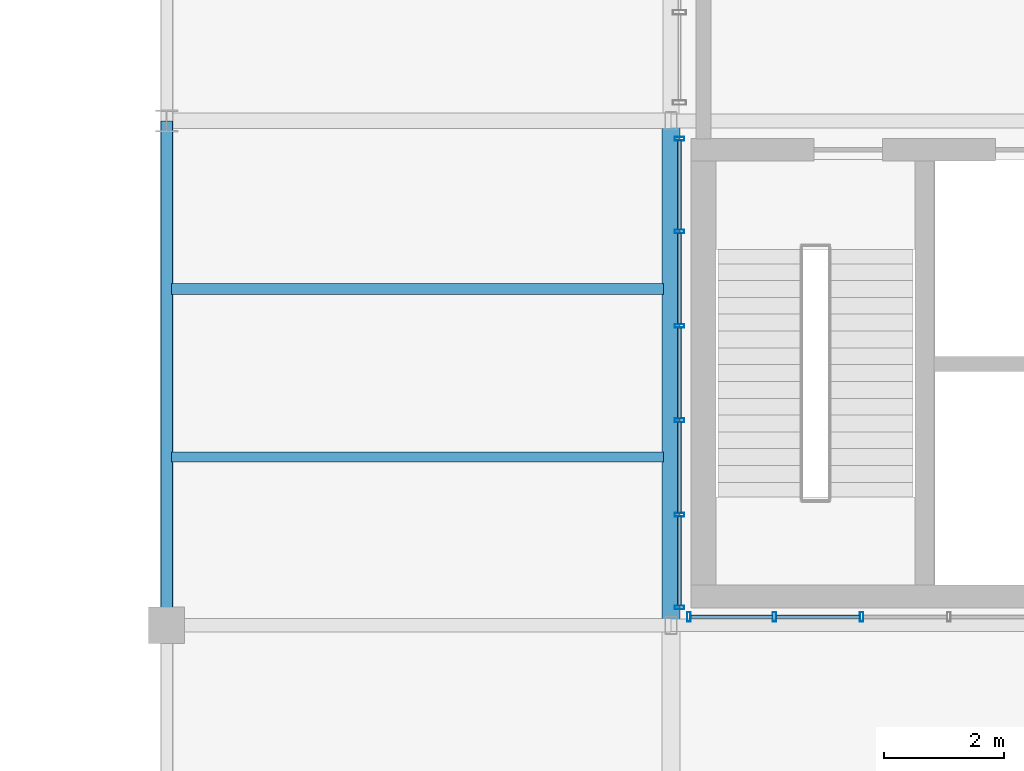
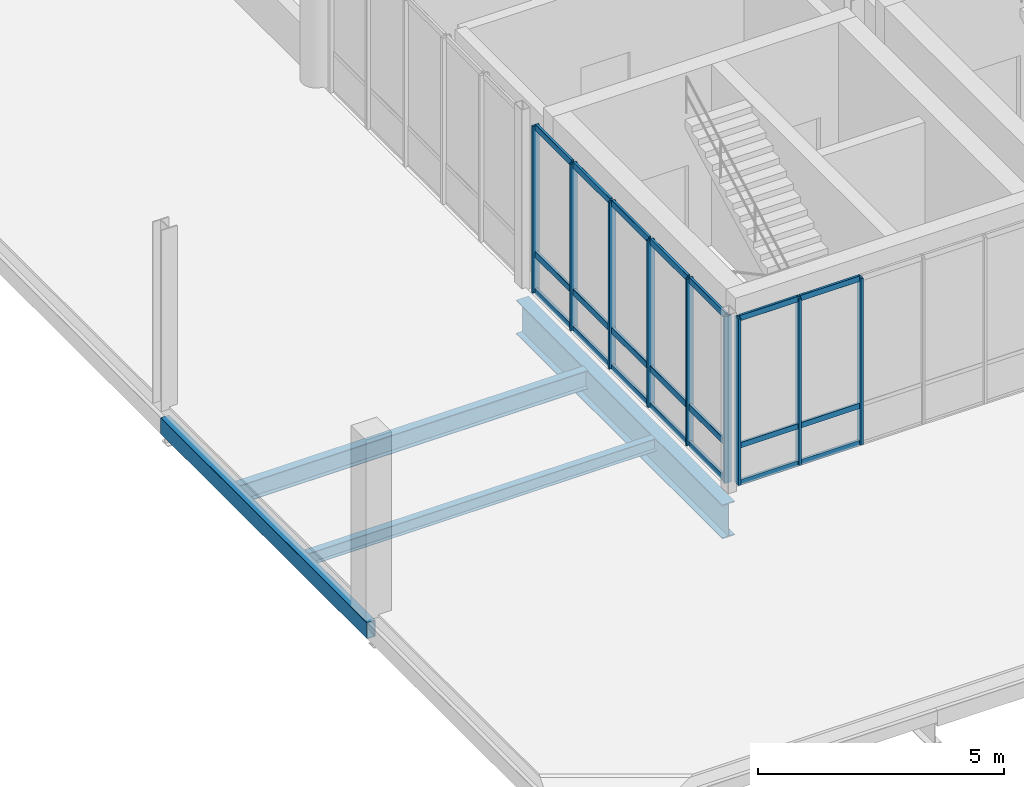
# One storey, part 36 of 66: 30 members, 4 beams, 2 elements without a shape of their own.
"""IFC4 building model written with IfcOpenShell, lengths in metres."""

from ifc_helpers import new_model, si_unit, direction, frame, origin_with_axes, origin_2d_with_axis, place, context, subcontext, project, spatial, hollow_rectangle, i_section, extrude, material, material_profile, profile_set, type_object, element, aggregate, save


model = new_model("IFC4")

# Units and contexts
model_context = context("Model", 3, precision=1e-05, world=origin_with_axes(), true_north=direction((0.0, 1.0)))
body_context = subcontext(model_context, "Body", "Model", "MODEL_VIEW")
ifc_project = project(units=[si_unit("LENGTHUNIT", "METRE"), si_unit("AREAUNIT", "SQUARE_METRE"), si_unit("VOLUMEUNIT", "CUBIC_METRE"), si_unit("PLANEANGLEUNIT", "RADIAN"), si_unit("MASSUNIT", "GRAM", prefix="KILO"), si_unit("THERMODYNAMICTEMPERATUREUNIT", "KELVIN")], contexts=[model_context])

# Site, building, storey
site_placement = place(None, origin_with_axes())
site = spatial("IfcSite", under=ifc_project, at=site_placement, CompositionType="ELEMENT")
building_placement = place(site_placement, origin_with_axes())
building = spatial("IfcBuilding", under=site, at=building_placement, Name="Montbau Bow Law Courts", CompositionType="ELEMENT")
storey_placement = place(building_placement, frame((0.0, 0.0, 34.5), z_axis=(0.0, 0.0, 1.0), x_axis=(1.0, 0.0, 0.0)))
storey = spatial("IfcBuildingStorey", under=building, at=storey_placement, Name="L07", CompositionType="ELEMENT", Elevation=34.5)

# Beams
ifc_material_1 = material(Name="Steel CSA G40.21 Grade 350W (350 MPa)", Category="steel")
ifc_material_profile_1 = material_profile(ifc_material_1, i_section(OverallWidth=0.293, OverallDepth=0.846, WebThickness=0.0154, FlangeThickness=0.0244, at=origin_2d_with_axis()), Name="W840X210", Category="Main", Priority=0)
ifc_profile_set_1 = profile_set([ifc_material_profile_1], Name="Steel CSA G40.21 Grade 350W (350 MPa)")
beam_type_1 = type_object("IfcBeamType", Name="B-FLR-02", PredefinedType="BEAM", material=ifc_profile_set_1)
beam_1_placement = place(None, frame((147.0, 86.4, 33.787), z_axis=(0.0, 1.0, 0.0), x_axis=(-1.0, 0.0, 0.0)))
element("IfcBeam", 1, at=beam_1_placement, inside=storey, type_object=beam_type_1, Name="BM-L07-S1363:bm2_1366", PredefinedType="BEAM", context=body_context, shape_type="SweptSolid", body=[
    extrude(i_section(OverallWidth=0.293, OverallDepth=0.846, WebThickness=0.0154, FlangeThickness=0.0244, at=origin_2d_with_axis()), origin_with_axes(), (0.0, 0.0, 1.0), 8.4),
])
ifc_material_profile_2 = material_profile(ifc_material_1, i_section(OverallWidth=0.191, OverallDepth=0.46, WebThickness=0.0099, FlangeThickness=0.016, at=origin_2d_with_axis()), Name="W460X82", Category="Main", Priority=0)
ifc_profile_set_2 = profile_set([ifc_material_profile_2], Name="Steel CSA G40.21 Grade 350W (350 MPa)")
beam_type_2 = type_object("IfcBeamType", Name="B-JST-01", PredefinedType="JOIST", material=ifc_profile_set_2)
beam_2_placement = place(None, frame((138.68, 92.0, 33.98), z_axis=(1.0, 0.0, 0.0), x_axis=(0.0, 1.0, 0.0)))
element("IfcBeam", 2, at=beam_2_placement, inside=storey, type_object=beam_type_2, Name="JST-L07-S0740:jst2_0740", PredefinedType="JOIST", context=body_context, shape_type="SweptSolid", body=[
    extrude(i_section(OverallWidth=0.191, OverallDepth=0.46, WebThickness=0.0099, FlangeThickness=0.016, at=origin_2d_with_axis()), origin_with_axes(), (0.0, 0.0, 1.0), 8.197),
])
ifc_material_profile_3 = material_profile(ifc_material_1, i_section(OverallWidth=0.166, OverallDepth=0.313, WebThickness=0.0066, FlangeThickness=0.0112, at=origin_2d_with_axis()), Name="W310X45", Category="Main", Priority=0)
ifc_profile_set_3 = profile_set([ifc_material_profile_3], Name="Steel CSA G40.21 Grade 350W (350 MPa)")
beam_type_3 = type_object("IfcBeamType", Name="B-JST-04", PredefinedType="JOIST", material=ifc_profile_set_3)
beam_3_placement = place(None, frame((138.68, 89.2, 34.053), z_axis=(1.0, 0.0, 0.0), x_axis=(0.0, 1.0, 0.0)))
element("IfcBeam", 3, at=beam_3_placement, inside=storey, type_object=beam_type_3, Name="JST-L07-S0739:jst2_0739", PredefinedType="JOIST", context=body_context, shape_type="SweptSolid", body=[
    extrude(i_section(OverallWidth=0.166, OverallDepth=0.313, WebThickness=0.0066, FlangeThickness=0.0112, at=origin_2d_with_axis()), origin_with_axes(), (0.0, 0.0, 1.0), 8.197),
])
ifc_material_2 = material(Name="Steel CSA G40.21 Grade 350WT (350 MPa)", Category="steel")
ifc_material_profile_4 = material_profile(ifc_material_2, hollow_rectangle(XDim=0.203, YDim=0.406, WallThickness=0.0127, InnerFilletRadius=0.0254, OuterFilletRadius=0.0127, at=origin_2d_with_axis()), Name="HSS406X203X13", Category="Main", Priority=0)
ifc_profile_set_4 = profile_set([ifc_material_profile_4], Name="Steel CSA G40.21 Grade 350WT (350 MPa)")
beam_type_4 = type_object("IfcBeamType", Name="B-SPN-01", PredefinedType="SPANDREL", material=ifc_profile_set_4)
beam_4_placement = place(None, frame((138.6, 86.4, 34.007), z_axis=(0.0, 1.0, 0.0), x_axis=(-1.0, 0.0, 0.0)))
element("IfcBeam", 4, at=beam_4_placement, inside=storey, type_object=beam_type_4, Name="SPN-L07-S1359:bm2_1362", PredefinedType="SPANDREL", context=body_context, shape_type="SweptSolid", body=[
    extrude(hollow_rectangle(XDim=0.203, YDim=0.406, WallThickness=0.0127, InnerFilletRadius=0.0254, OuterFilletRadius=0.0127, at=origin_2d_with_axis()), origin_with_axes(), (0.0, 0.0, 1.0), 8.4),
])

# Curtain wall, members
ifc_material_3 = material(Name="Thermally Broken Extruded Aluminium AA 6063-T6", Category="aluminium")
curtain_wall_type = type_object("IfcCurtainWallType", Name="CW-NCK-03", PredefinedType="NOTDEFINED", material=ifc_material_3)
curtain_wall_1_placement = place(None, frame((147.268, 86.54, 34.5), z_axis=(0.0, 0.0, 1.0), x_axis=(1.0, 0.0, 0.0)))
curtain_wall_1 = element("IfcCurtainWall", 5, at=curtain_wall_1_placement, inside=storey, type_object=curtain_wall_type, Name="CW-L07-365:cw_0365", PredefinedType="NOTDEFINED")
ifc_material_profile_5 = material_profile(ifc_material_3, hollow_rectangle(XDim=0.06, YDim=0.16, WallThickness=0.004, InnerFilletRadius=0.008, OuterFilletRadius=0.004, at=origin_2d_with_axis()), Name="CWM-160X60", Category="Main", Priority=0)
ifc_profile_set_5 = profile_set([ifc_material_profile_5], Name="Thermally Broken Extruded Aluminium AA 6063-T6")
member_type_1 = type_object("IfcMemberType", Name="M-MUL-03", PredefinedType="MULLION", material=ifc_profile_set_5)
member_1_placement = place(None, frame((147.298, 86.54, 34.5), z_axis=(0.0, 0.0, 1.0), x_axis=(1.0, 0.0, 0.0)))
member_1 = element("IfcMember", 6, at=member_1_placement, type_object=member_type_1, Name="CW-L07-365-M01:cw_0365_M01", PredefinedType="MULLION", context=body_context, shape_type="SweptSolid", body=[
    extrude(hollow_rectangle(XDim=0.06, YDim=0.16, WallThickness=0.004, InnerFilletRadius=0.008, OuterFilletRadius=0.004, at=origin_2d_with_axis()), origin_with_axes(), (0.0, 0.0, 1.0), 4.14),
])
member_2_placement = place(None, frame((148.721, 86.54, 34.5), z_axis=(0.0, 0.0, 1.0), x_axis=(1.0, 0.0, 0.0)))
member_2 = element("IfcMember", 7, at=member_2_placement, type_object=member_type_1, Name="CW-L07-365-M02:cw_0365_M02", PredefinedType="MULLION", context=body_context, shape_type="SweptSolid", body=[
    extrude(hollow_rectangle(XDim=0.06, YDim=0.16, WallThickness=0.004, InnerFilletRadius=0.008, OuterFilletRadius=0.004, at=origin_2d_with_axis()), origin_with_axes(), (0.0, 0.0, 1.0), 4.14),
])
member_3_placement = place(None, frame((150.174, 86.54, 34.5), z_axis=(0.0, 0.0, 1.0), x_axis=(1.0, 0.0, 0.0)))
member_3 = element("IfcMember", 8, at=member_3_placement, type_object=member_type_1, Name="CW-L07-365-M03:cw_0365_M03", PredefinedType="MULLION", context=body_context, shape_type="SweptSolid", body=[
    extrude(hollow_rectangle(XDim=0.06, YDim=0.16, WallThickness=0.004, InnerFilletRadius=0.008, OuterFilletRadius=0.004, at=origin_2d_with_axis()), origin_with_axes(), (0.0, 0.0, 1.0), 4.14),
])

curtain_wall_2_placement = place(None, frame((147.14, 86.668, 34.5), z_axis=(0.0, 0.0, 1.0), x_axis=(1.0, 0.0, 0.0)))
curtain_wall_2 = element("IfcCurtainWall", 9, at=curtain_wall_2_placement, inside=storey, type_object=curtain_wall_type, Name="CW-L07-368:cw_0368", PredefinedType="NOTDEFINED")
member_4_placement = place(None, frame((147.14, 86.698, 34.5), z_axis=(0.0, 0.0, 1.0), x_axis=(0.0, 1.0, 0.0)))
member_4 = element("IfcMember", 10, at=member_4_placement, type_object=member_type_1, Name="CW-L07-368-M01:cw_0368_M01", PredefinedType="MULLION", context=body_context, shape_type="SweptSolid", body=[
    extrude(hollow_rectangle(XDim=0.06, YDim=0.16, WallThickness=0.004, InnerFilletRadius=0.008, OuterFilletRadius=0.004, at=origin_2d_with_axis()), origin_with_axes(), (0.0, 0.0, 1.0), 4.14),
])
member_5_placement = place(None, frame((147.14, 88.241, 34.5), z_axis=(0.0, 0.0, 1.0), x_axis=(0.0, 1.0, 0.0)))
member_5 = element("IfcMember", 11, at=member_5_placement, type_object=member_type_1, Name="CW-L07-368-M02:cw_0368_M02", PredefinedType="MULLION", context=body_context, shape_type="SweptSolid", body=[
    extrude(hollow_rectangle(XDim=0.06, YDim=0.16, WallThickness=0.004, InnerFilletRadius=0.008, OuterFilletRadius=0.004, at=origin_2d_with_axis()), origin_with_axes(), (0.0, 0.0, 1.0), 4.14),
])
member_6_placement = place(None, frame((147.14, 89.814, 34.5), z_axis=(0.0, 0.0, 1.0), x_axis=(0.0, 1.0, 0.0)))
member_6 = element("IfcMember", 12, at=member_6_placement, type_object=member_type_1, Name="CW-L07-368-M03:cw_0368_M03", PredefinedType="MULLION", context=body_context, shape_type="SweptSolid", body=[
    extrude(hollow_rectangle(XDim=0.06, YDim=0.16, WallThickness=0.004, InnerFilletRadius=0.008, OuterFilletRadius=0.004, at=origin_2d_with_axis()), origin_with_axes(), (0.0, 0.0, 1.0), 4.14),
])
member_7_placement = place(None, frame((147.14, 91.386, 34.5), z_axis=(0.0, 0.0, 1.0), x_axis=(0.0, 1.0, 0.0)))
member_7 = element("IfcMember", 13, at=member_7_placement, type_object=member_type_1, Name="CW-L07-368-M04:cw_0368_M04", PredefinedType="MULLION", context=body_context, shape_type="SweptSolid", body=[
    extrude(hollow_rectangle(XDim=0.06, YDim=0.16, WallThickness=0.004, InnerFilletRadius=0.008, OuterFilletRadius=0.004, at=origin_2d_with_axis()), origin_with_axes(), (0.0, 0.0, 1.0), 4.14),
])
member_8_placement = place(None, frame((147.14, 92.959, 34.5), z_axis=(0.0, 0.0, 1.0), x_axis=(0.0, 1.0, 0.0)))
member_8 = element("IfcMember", 14, at=member_8_placement, type_object=member_type_1, Name="CW-L07-368-M05:cw_0368_M05", PredefinedType="MULLION", context=body_context, shape_type="SweptSolid", body=[
    extrude(hollow_rectangle(XDim=0.06, YDim=0.16, WallThickness=0.004, InnerFilletRadius=0.008, OuterFilletRadius=0.004, at=origin_2d_with_axis()), origin_with_axes(), (0.0, 0.0, 1.0), 4.14),
])
member_9_placement = place(None, frame((147.14, 94.502, 34.5), z_axis=(0.0, 0.0, 1.0), x_axis=(0.0, 1.0, 0.0)))
member_9 = element("IfcMember", 15, at=member_9_placement, type_object=member_type_1, Name="CW-L07-368-M06:cw_0368_M06", PredefinedType="MULLION", context=body_context, shape_type="SweptSolid", body=[
    extrude(hollow_rectangle(XDim=0.06, YDim=0.16, WallThickness=0.004, InnerFilletRadius=0.008, OuterFilletRadius=0.004, at=origin_2d_with_axis()), origin_with_axes(), (0.0, 0.0, 1.0), 4.14),
])
ifc_material_profile_6 = material_profile(ifc_material_3, hollow_rectangle(XDim=0.06, YDim=0.16, WallThickness=0.004, InnerFilletRadius=0.008, OuterFilletRadius=0.004, at=origin_2d_with_axis()), Name="CWT-160X60", Category="Main", Priority=0)
ifc_profile_set_6 = profile_set([ifc_material_profile_6], Name="Thermally Broken Extruded Aluminium AA 6063-T6")
member_type_2 = type_object("IfcMemberType", Name="M-TRN-01", PredefinedType="USERDEFINED", material=ifc_profile_set_6)
member_10_placement = place(None, frame((147.14, 86.73, 34.53), z_axis=(0.0, 1.0, 0.0), x_axis=(-1.0, 0.0, 0.0)))
member_10 = element("IfcMember", 16, at=member_10_placement, type_object=member_type_2, Name="CW-L07-368-T01-1:cw_0368_T01_1", ObjectType="TRANSOM", PredefinedType="USERDEFINED", context=body_context, shape_type="SweptSolid", body=[
    extrude(hollow_rectangle(XDim=0.06, YDim=0.16, WallThickness=0.004, InnerFilletRadius=0.008, OuterFilletRadius=0.004, at=origin_2d_with_axis()), origin_with_axes(), (0.0, 0.0, 1.0), 1.479),
])
member_11_placement = place(None, frame((147.14, 86.73, 35.45), z_axis=(0.0, 1.0, 0.0), x_axis=(-1.0, 0.0, 0.0)))
member_11 = element("IfcMember", 17, at=member_11_placement, type_object=member_type_2, Name="CW-L07-368-T01-2:cw_0368_T01_2", ObjectType="TRANSOM", PredefinedType="USERDEFINED", context=body_context, shape_type="SweptSolid", body=[
    extrude(hollow_rectangle(XDim=0.06, YDim=0.16, WallThickness=0.004, InnerFilletRadius=0.008, OuterFilletRadius=0.004, at=origin_2d_with_axis()), origin_with_axes(), (0.0, 0.0, 1.0), 1.479),
])
member_12_placement = place(None, frame((147.14, 86.73, 38.61), z_axis=(0.0, 1.0, 0.0), x_axis=(-1.0, 0.0, 0.0)))
member_12 = element("IfcMember", 18, at=member_12_placement, type_object=member_type_2, Name="CW-L07-368-T01-3:cw_0368_T01_3", ObjectType="TRANSOM", PredefinedType="USERDEFINED", context=body_context, shape_type="SweptSolid", body=[
    extrude(hollow_rectangle(XDim=0.06, YDim=0.16, WallThickness=0.004, InnerFilletRadius=0.008, OuterFilletRadius=0.004, at=origin_2d_with_axis()), origin_with_axes(), (0.0, 0.0, 1.0), 1.479),
])
member_13_placement = place(None, frame((147.14, 88.273, 34.53), z_axis=(0.0, 1.0, 0.0), x_axis=(-1.0, 0.0, 0.0)))
member_13 = element("IfcMember", 19, at=member_13_placement, type_object=member_type_2, Name="CW-L07-368-T02-1:cw_0368_T02_1", ObjectType="TRANSOM", PredefinedType="USERDEFINED", context=body_context, shape_type="SweptSolid", body=[
    extrude(hollow_rectangle(XDim=0.06, YDim=0.16, WallThickness=0.004, InnerFilletRadius=0.008, OuterFilletRadius=0.004, at=origin_2d_with_axis()), origin_with_axes(), (0.0, 0.0, 1.0), 1.509),
])
member_14_placement = place(None, frame((147.14, 88.273, 35.45), z_axis=(0.0, 1.0, 0.0), x_axis=(-1.0, 0.0, 0.0)))
member_14 = element("IfcMember", 20, at=member_14_placement, type_object=member_type_2, Name="CW-L07-368-T02-2:cw_0368_T02_2", ObjectType="TRANSOM", PredefinedType="USERDEFINED", context=body_context, shape_type="SweptSolid", body=[
    extrude(hollow_rectangle(XDim=0.06, YDim=0.16, WallThickness=0.004, InnerFilletRadius=0.008, OuterFilletRadius=0.004, at=origin_2d_with_axis()), origin_with_axes(), (0.0, 0.0, 1.0), 1.509),
])
member_15_placement = place(None, frame((147.14, 88.273, 38.61), z_axis=(0.0, 1.0, 0.0), x_axis=(-1.0, 0.0, 0.0)))
member_15 = element("IfcMember", 21, at=member_15_placement, type_object=member_type_2, Name="CW-L07-368-T02-3:cw_0368_T02_3", ObjectType="TRANSOM", PredefinedType="USERDEFINED", context=body_context, shape_type="SweptSolid", body=[
    extrude(hollow_rectangle(XDim=0.06, YDim=0.16, WallThickness=0.004, InnerFilletRadius=0.008, OuterFilletRadius=0.004, at=origin_2d_with_axis()), origin_with_axes(), (0.0, 0.0, 1.0), 1.509),
])
member_16_placement = place(None, frame((147.14, 89.846, 34.53), z_axis=(0.0, 1.0, 0.0), x_axis=(-1.0, 0.0, 0.0)))
member_16 = element("IfcMember", 22, at=member_16_placement, type_object=member_type_2, Name="CW-L07-368-T03-1:cw_0368_T03_1", ObjectType="TRANSOM", PredefinedType="USERDEFINED", context=body_context, shape_type="SweptSolid", body=[
    extrude(hollow_rectangle(XDim=0.06, YDim=0.16, WallThickness=0.004, InnerFilletRadius=0.008, OuterFilletRadius=0.004, at=origin_2d_with_axis()), origin_with_axes(), (0.0, 0.0, 1.0), 1.508),
])
member_17_placement = place(None, frame((147.14, 89.846, 35.45), z_axis=(0.0, 1.0, 0.0), x_axis=(-1.0, 0.0, 0.0)))
member_17 = element("IfcMember", 23, at=member_17_placement, type_object=member_type_2, Name="CW-L07-368-T03-2:cw_0368_T03_2", ObjectType="TRANSOM", PredefinedType="USERDEFINED", context=body_context, shape_type="SweptSolid", body=[
    extrude(hollow_rectangle(XDim=0.06, YDim=0.16, WallThickness=0.004, InnerFilletRadius=0.008, OuterFilletRadius=0.004, at=origin_2d_with_axis()), origin_with_axes(), (0.0, 0.0, 1.0), 1.508),
])
member_18_placement = place(None, frame((147.14, 89.846, 38.61), z_axis=(0.0, 1.0, 0.0), x_axis=(-1.0, 0.0, 0.0)))
member_18 = element("IfcMember", 24, at=member_18_placement, type_object=member_type_2, Name="CW-L07-368-T03-3:cw_0368_T03_3", ObjectType="TRANSOM", PredefinedType="USERDEFINED", context=body_context, shape_type="SweptSolid", body=[
    extrude(hollow_rectangle(XDim=0.06, YDim=0.16, WallThickness=0.004, InnerFilletRadius=0.008, OuterFilletRadius=0.004, at=origin_2d_with_axis()), origin_with_axes(), (0.0, 0.0, 1.0), 1.508),
])
member_19_placement = place(None, frame((147.14, 91.418, 34.53), z_axis=(0.0, 1.0, 0.0), x_axis=(-1.0, 0.0, 0.0)))
member_19 = element("IfcMember", 25, at=member_19_placement, type_object=member_type_2, Name="CW-L07-368-T04-1:cw_0368_T04_1", ObjectType="TRANSOM", PredefinedType="USERDEFINED", context=body_context, shape_type="SweptSolid", body=[
    extrude(hollow_rectangle(XDim=0.06, YDim=0.16, WallThickness=0.004, InnerFilletRadius=0.008, OuterFilletRadius=0.004, at=origin_2d_with_axis()), origin_with_axes(), (0.0, 0.0, 1.0), 1.509),
])
member_20_placement = place(None, frame((147.14, 91.418, 35.45), z_axis=(0.0, 1.0, 0.0), x_axis=(-1.0, 0.0, 0.0)))
member_20 = element("IfcMember", 26, at=member_20_placement, type_object=member_type_2, Name="CW-L07-368-T04-2:cw_0368_T04_2", ObjectType="TRANSOM", PredefinedType="USERDEFINED", context=body_context, shape_type="SweptSolid", body=[
    extrude(hollow_rectangle(XDim=0.06, YDim=0.16, WallThickness=0.004, InnerFilletRadius=0.008, OuterFilletRadius=0.004, at=origin_2d_with_axis()), origin_with_axes(), (0.0, 0.0, 1.0), 1.509),
])
member_21_placement = place(None, frame((147.14, 91.418, 38.61), z_axis=(0.0, 1.0, 0.0), x_axis=(-1.0, 0.0, 0.0)))
member_21 = element("IfcMember", 27, at=member_21_placement, type_object=member_type_2, Name="CW-L07-368-T04-3:cw_0368_T04_3", ObjectType="TRANSOM", PredefinedType="USERDEFINED", context=body_context, shape_type="SweptSolid", body=[
    extrude(hollow_rectangle(XDim=0.06, YDim=0.16, WallThickness=0.004, InnerFilletRadius=0.008, OuterFilletRadius=0.004, at=origin_2d_with_axis()), origin_with_axes(), (0.0, 0.0, 1.0), 1.509),
])
member_22_placement = place(None, frame((147.14, 92.991, 34.53), z_axis=(0.0, 1.0, 0.0), x_axis=(-1.0, 0.0, 0.0)))
member_22 = element("IfcMember", 28, at=member_22_placement, type_object=member_type_2, Name="CW-L07-368-T05-1:cw_0368_T05_1", ObjectType="TRANSOM", PredefinedType="USERDEFINED", context=body_context, shape_type="SweptSolid", body=[
    extrude(hollow_rectangle(XDim=0.06, YDim=0.16, WallThickness=0.004, InnerFilletRadius=0.008, OuterFilletRadius=0.004, at=origin_2d_with_axis()), origin_with_axes(), (0.0, 0.0, 1.0), 1.479),
])
member_23_placement = place(None, frame((147.14, 92.991, 35.45), z_axis=(0.0, 1.0, 0.0), x_axis=(-1.0, 0.0, 0.0)))
member_23 = element("IfcMember", 29, at=member_23_placement, type_object=member_type_2, Name="CW-L07-368-T05-2:cw_0368_T05_2", ObjectType="TRANSOM", PredefinedType="USERDEFINED", context=body_context, shape_type="SweptSolid", body=[
    extrude(hollow_rectangle(XDim=0.06, YDim=0.16, WallThickness=0.004, InnerFilletRadius=0.008, OuterFilletRadius=0.004, at=origin_2d_with_axis()), origin_with_axes(), (0.0, 0.0, 1.0), 1.479),
])
member_24_placement = place(None, frame((147.14, 92.991, 38.61), z_axis=(0.0, 1.0, 0.0), x_axis=(-1.0, 0.0, 0.0)))
member_24 = element("IfcMember", 30, at=member_24_placement, type_object=member_type_2, Name="CW-L07-368-T05-3:cw_0368_T05_3", ObjectType="TRANSOM", PredefinedType="USERDEFINED", context=body_context, shape_type="SweptSolid", body=[
    extrude(hollow_rectangle(XDim=0.06, YDim=0.16, WallThickness=0.004, InnerFilletRadius=0.008, OuterFilletRadius=0.004, at=origin_2d_with_axis()), origin_with_axes(), (0.0, 0.0, 1.0), 1.479),
])
aggregate(curtain_wall_2, [member_4, member_5, member_6, member_7, member_8, member_9, member_10, member_11, member_12, member_13, member_14, member_15, member_16, member_17, member_18, member_19, member_20, member_21, member_22, member_23, member_24])

# Member
ifc_material_profile_7 = material_profile(ifc_material_3, hollow_rectangle(XDim=0.055, YDim=0.14, WallThickness=0.004, InnerFilletRadius=0.008, OuterFilletRadius=0.004, at=origin_2d_with_axis()), Name="CWT-140X55", Category="Main", Priority=0)
ifc_profile_set_7 = profile_set([ifc_material_profile_7], Name="Thermally Broken Extruded Aluminium AA 6063-T6")
member_type_3 = type_object("IfcMemberType", Name="M-TRN-02", PredefinedType="USERDEFINED", material=ifc_profile_set_7)
member_25_placement = place(None, frame((147.33, 86.54, 34.528), z_axis=(1.0, 0.0, 0.0), x_axis=(0.0, 1.0, 0.0)))
member_25 = element("IfcMember", 31, at=member_25_placement, type_object=member_type_3, Name="CW-L07-365-T01-1:cw_0365_T01_1", ObjectType="TRANSOM", PredefinedType="USERDEFINED", context=body_context, shape_type="SweptSolid", body=[
    extrude(hollow_rectangle(XDim=0.055, YDim=0.14, WallThickness=0.004, InnerFilletRadius=0.008, OuterFilletRadius=0.004, at=origin_2d_with_axis()), origin_with_axes(), (0.0, 0.0, 1.0), 1.359),
])

member_26_placement = place(None, frame((147.33, 86.54, 35.45), z_axis=(1.0, 0.0, 0.0), x_axis=(0.0, 1.0, 0.0)))
member_26 = element("IfcMember", 32, at=member_26_placement, type_object=member_type_3, Name="CW-L07-365-T01-2:cw_0365_T01_2", ObjectType="TRANSOM", PredefinedType="USERDEFINED", context=body_context, shape_type="SweptSolid", body=[
    extrude(hollow_rectangle(XDim=0.055, YDim=0.14, WallThickness=0.004, InnerFilletRadius=0.008, OuterFilletRadius=0.004, at=origin_2d_with_axis()), origin_with_axes(), (0.0, 0.0, 1.0), 1.359),
])

member_27_placement = place(None, frame((147.33, 86.54, 38.612), z_axis=(1.0, 0.0, 0.0), x_axis=(0.0, 1.0, 0.0)))
member_27 = element("IfcMember", 33, at=member_27_placement, type_object=member_type_3, Name="CW-L07-365-T01-3:cw_0365_T01_3", ObjectType="TRANSOM", PredefinedType="USERDEFINED", context=body_context, shape_type="SweptSolid", body=[
    extrude(hollow_rectangle(XDim=0.055, YDim=0.14, WallThickness=0.004, InnerFilletRadius=0.008, OuterFilletRadius=0.004, at=origin_2d_with_axis()), origin_with_axes(), (0.0, 0.0, 1.0), 1.359),
])

member_28_placement = place(None, frame((148.753, 86.54, 34.528), z_axis=(1.0, 0.0, 0.0), x_axis=(0.0, 1.0, 0.0)))
member_28 = element("IfcMember", 34, at=member_28_placement, type_object=member_type_3, Name="CW-L07-365-T02-1:cw_0365_T02_1", ObjectType="TRANSOM", PredefinedType="USERDEFINED", context=body_context, shape_type="SweptSolid", body=[
    extrude(hollow_rectangle(XDim=0.055, YDim=0.14, WallThickness=0.004, InnerFilletRadius=0.008, OuterFilletRadius=0.004, at=origin_2d_with_axis()), origin_with_axes(), (0.0, 0.0, 1.0), 1.389),
])

member_29_placement = place(None, frame((148.753, 86.54, 35.45), z_axis=(1.0, 0.0, 0.0), x_axis=(0.0, 1.0, 0.0)))
member_29 = element("IfcMember", 35, at=member_29_placement, type_object=member_type_3, Name="CW-L07-365-T02-2:cw_0365_T02_2", ObjectType="TRANSOM", PredefinedType="USERDEFINED", context=body_context, shape_type="SweptSolid", body=[
    extrude(hollow_rectangle(XDim=0.055, YDim=0.14, WallThickness=0.004, InnerFilletRadius=0.008, OuterFilletRadius=0.004, at=origin_2d_with_axis()), origin_with_axes(), (0.0, 0.0, 1.0), 1.389),
])

member_30_placement = place(None, frame((148.753, 86.54, 38.612), z_axis=(1.0, 0.0, 0.0), x_axis=(0.0, 1.0, 0.0)))
member_30 = element("IfcMember", 36, at=member_30_placement, type_object=member_type_3, Name="CW-L07-365-T02-3:cw_0365_T02_3", ObjectType="TRANSOM", PredefinedType="USERDEFINED", context=body_context, shape_type="SweptSolid", body=[
    extrude(hollow_rectangle(XDim=0.055, YDim=0.14, WallThickness=0.004, InnerFilletRadius=0.008, OuterFilletRadius=0.004, at=origin_2d_with_axis()), origin_with_axes(), (0.0, 0.0, 1.0), 1.389),
])

aggregate(curtain_wall_1, [member_1, member_2, member_3, member_25, member_26, member_27, member_28, member_29, member_30])

save(model, "model.ifc")
